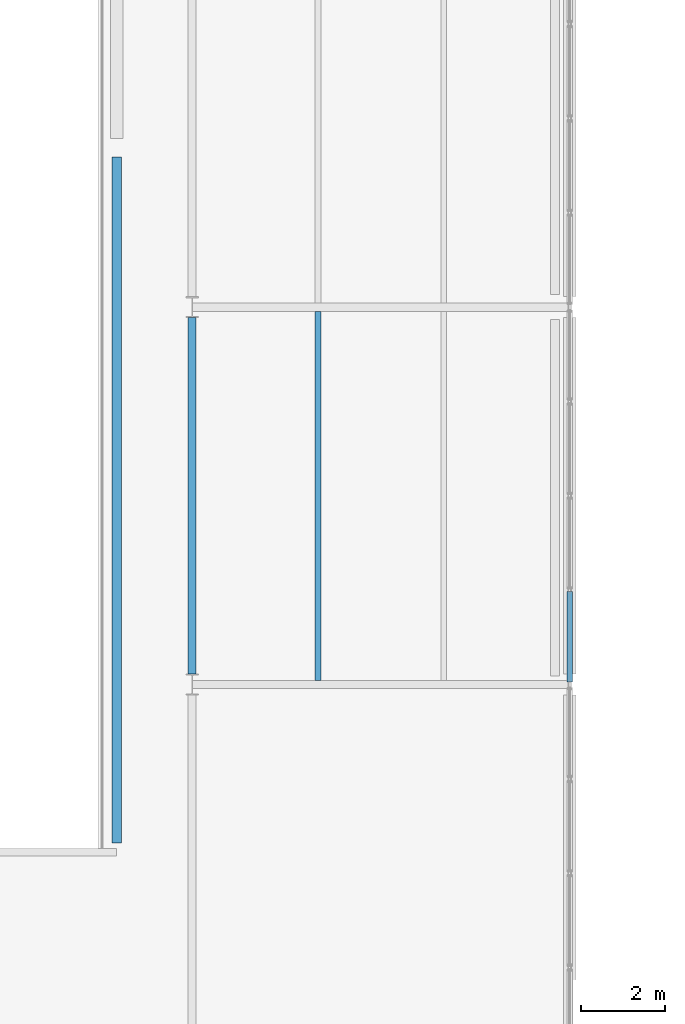
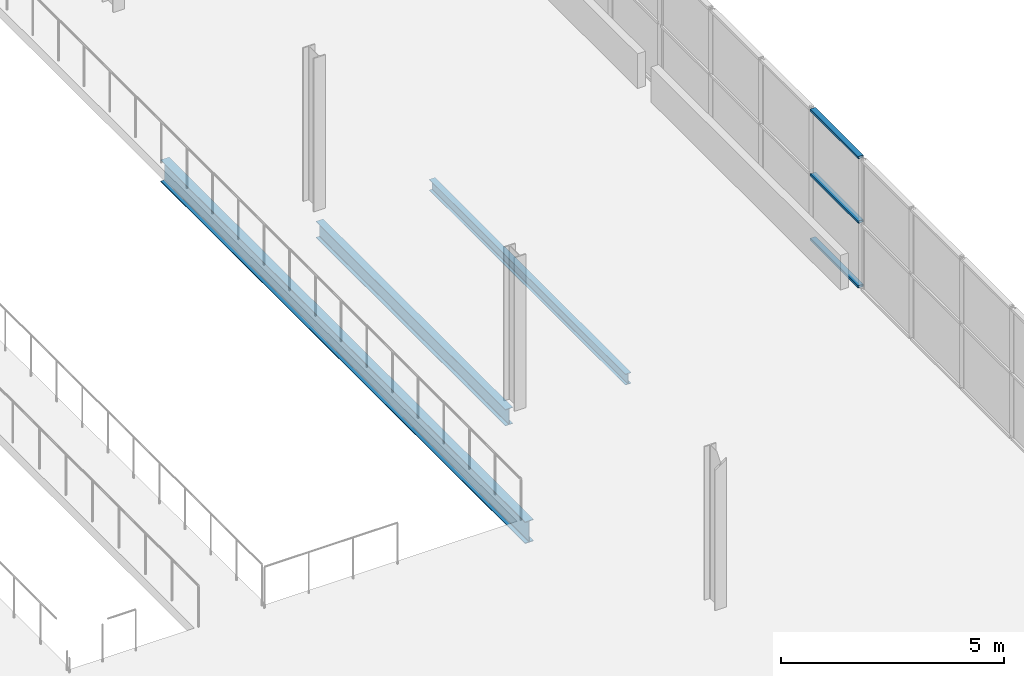
# One storey, part 25 of 88: 3 beams, 3 members, 1 element without a shape of its own.
"""IFC4 building model written with IfcOpenShell, lengths in metres."""

from ifc_helpers import new_model, si_unit, direction, frame, origin, origin_2d, place, context, subcontext, project, spatial, hollow_rectangle, i_section, extrude, material, layer, layer_set, material_profile, profile_set, type_object, element, aggregate, save


model = new_model("IFC4")

# Units and contexts
model_context = context("Model", 3, precision=1e-05, world=origin(), true_north=direction((0.0, 1.0)))
body_context = subcontext(model_context, "Body", "Model", "MODEL_VIEW")
ifc_project = project(units=[si_unit("LENGTHUNIT", "METRE"), si_unit("AREAUNIT", "SQUARE_METRE"), si_unit("VOLUMEUNIT", "CUBIC_METRE"), si_unit("PLANEANGLEUNIT", "RADIAN"), si_unit("MASSUNIT", "GRAM", prefix="KILO")], contexts=[model_context])

# Site, building, storey
site_placement = place(None, origin())
site = spatial("IfcSite", under=ifc_project, at=site_placement, CompositionType="ELEMENT")
building_placement = place(site_placement, origin())
building = spatial("IfcBuilding", under=site, at=building_placement, Name="Deido Ridge Mobility Hub", CompositionType="ELEMENT")
storey_placement = place(building_placement, frame((0.0, 0.0, 16.800048828125)))
storey = spatial("IfcBuildingStorey", under=building, at=storey_placement, Name="L04", CompositionType="ELEMENT", Elevation=16.800048828125)

# Beams
ifc_material_1 = material(Name="Steel S355J2 EN 10025-2", Category="steel")
ifc_material_profile_1 = material_profile(ifc_material_1, i_section(OverallWidth=0.18994140625, OverallDepth=0.449951171875, WebThickness=0.009521484375, FlangeThickness=0.0146484375, FilletRadius=0.02099609375, at=origin_2d()), Name="IPE 450")
ifc_profile_set_1 = profile_set([ifc_material_profile_1], Name="Steel S355J2 EN 10025-2")
beam_type_1 = type_object("IfcBeamType", Name="BM-IPE450", PredefinedType="BEAM", material=ifc_profile_set_1)
beam_1_placement = place(storey_placement, frame((99.0, 54.25, -0.5), z_axis=(0.0, 1.0, 0.0), x_axis=(-1.0, 0.0, 0.0)))
element("IfcBeam", 1, at=beam_1_placement, inside=storey, type_object=beam_type_1, Name="Floor beam B4", PredefinedType="BEAM", context=body_context, shape_type="SweptSolid", body=[
    extrude(i_section(OverallWidth=0.18994140625, OverallDepth=0.449951171875, WebThickness=0.009521484375, FlangeThickness=0.0146484375, FilletRadius=0.02099609375, at=origin_2d()), origin(), (0.0, 0.0, 1.0), 8.5),
])
ifc_material_profile_2 = material_profile(ifc_material_1, i_section(OverallWidth=0.219970703125, OverallDepth=0.60009765625, WebThickness=0.011962890625, FlangeThickness=0.01904296875, FilletRadius=0.02392578125, at=origin_2d()), Name="IPE 600")
ifc_profile_set_2 = profile_set([ifc_material_profile_2], Name="Steel S355J2 EN 10025-2")
beam_type_2 = type_object("IfcBeamType", Name="BM-IPE600", PredefinedType="BEAM", material=ifc_profile_set_2)
beam_2_placement = place(storey_placement, frame((97.199951171875, 50.22509765625, -0.574951171875), z_axis=(0.0, 1.0, 0.0), x_axis=(-1.0, 0.0, 0.0)))
element("IfcBeam", 2, at=beam_2_placement, inside=storey, type_object=beam_type_2, Name="Floor beam B1", PredefinedType="BEAM", context=body_context, shape_type="SweptSolid", body=[
    extrude(i_section(OverallWidth=0.219970703125, OverallDepth=0.60009765625, WebThickness=0.011962890625, FlangeThickness=0.01904296875, FilletRadius=0.02392578125, at=origin_2d()), origin(), (0.0, 0.0, 1.0), 16.349853515625),
])
ifc_material_profile_3 = material_profile(ifc_material_1, i_section(OverallWidth=0.14990234375, OverallDepth=0.300048828125, WebThickness=0.007080078125, FlangeThickness=0.0107421875, FilletRadius=0.014892578125, at=origin_2d()), Name="IPE 300")
ifc_profile_set_3 = profile_set([ifc_material_profile_3], Name="Steel S355J2 EN 10025-2")
beam_type_3 = type_object("IfcBeamType", Name="JST-IPE300", PredefinedType="JOIST", material=ifc_profile_set_3)
beam_3_placement = place(storey_placement, frame((102.0, 54.10009765625, -0.425048828125), z_axis=(0.0, 1.0, 0.0), x_axis=(-1.0, 0.0, 0.0)))
element("IfcBeam", 3, at=beam_3_placement, inside=storey, type_object=beam_type_3, Name="Composite joist J3", PredefinedType="JOIST", context=body_context, shape_type="SweptSolid", body=[
    extrude(i_section(OverallWidth=0.14990234375, OverallDepth=0.300048828125, WebThickness=0.007080078125, FlangeThickness=0.0107421875, FilletRadius=0.014892578125, at=origin_2d()), origin(), (0.0, 0.0, 1.0), 8.7998046875),
])

# Curtain wall, members
ifc_material_2 = material(Name="Anodised aluminium EN AW-6063 T6", Category="aluminium")
ifc_layer = layer(ifc_material_2, 0.2099609375, Name="Anodised aluminium EN AW-6063 T6")
ifc_layer_set = layer_set([ifc_layer], Name="Anodised aluminium EN AW-6063 T6")
curtain_wall_type = type_object("IfcCurtainWallType", Name="CW-UF-4", PredefinedType="USERDEFINED", material=ifc_layer_set)
curtain_wall_placement = place(storey_placement, origin())
curtain_wall = element("IfcCurtainWall", 4, at=curtain_wall_placement, inside=storey, type_object=curtain_wall_type, Name="Unitised curtain wall CW4", ObjectType="UNITISED FACADE", PredefinedType="USERDEFINED")
ifc_material_profile_4 = material_profile(ifc_material_2, hollow_rectangle(XDim=0.135009765625, YDim=0.06494140625, WallThickness=0.00390625, at=origin_2d()), Name="RHS 135x65x4")
ifc_profile_set_4 = profile_set([ifc_material_profile_4], Name="Anodised aluminium EN AW-6063 T6")
member_type = type_object("IfcMemberType", Name="MEM-TRN-135X65", PredefinedType="USERDEFINED", material=ifc_profile_set_4)
member_1_placement = place(storey_placement, frame((108.0, 54.06494140625, 0.032470703125), z_axis=(0.0, 1.0, 0.0), x_axis=(-1.0, 0.0, 0.0)))
member_1 = element("IfcMember", 5, at=member_1_placement, type_object=member_type, Name="CW4 transom 1.1", ObjectType="TRANSOM", PredefinedType="USERDEFINED", context=body_context, shape_type="SweptSolid", body=[
    extrude(hollow_rectangle(XDim=0.135009765625, YDim=0.06494140625, WallThickness=0.00390625, at=origin_2d()), origin(), (0.0, 0.0, 1.0), 2.152587890625),
])
member_2_placement = place(storey_placement, frame((108.0, 54.06494140625, 1.800048828125), z_axis=(0.0, 1.0, 0.0), x_axis=(-1.0, 0.0, 0.0)))
member_2 = element("IfcMember", 6, at=member_2_placement, type_object=member_type, Name="CW4 transom 1.2", ObjectType="TRANSOM", PredefinedType="USERDEFINED", context=body_context, shape_type="SweptSolid", body=[
    extrude(hollow_rectangle(XDim=0.135009765625, YDim=0.06494140625, WallThickness=0.00390625, at=origin_2d()), origin(), (0.0, 0.0, 1.0), 2.152587890625),
])
member_3_placement = place(storey_placement, frame((108.0, 54.06494140625, 3.5673828125), z_axis=(0.0, 1.0, 0.0), x_axis=(-1.0, 0.0, 0.0)))
member_3 = element("IfcMember", 7, at=member_3_placement, type_object=member_type, Name="CW4 transom 1.3", ObjectType="TRANSOM", PredefinedType="USERDEFINED", context=body_context, shape_type="SweptSolid", body=[
    extrude(hollow_rectangle(XDim=0.135009765625, YDim=0.06494140625, WallThickness=0.00390625, at=origin_2d()), origin(), (0.0, 0.0, 1.0), 2.152587890625),
])
aggregate(curtain_wall, [member_1, member_2, member_3])

save(model, "model.ifc")
